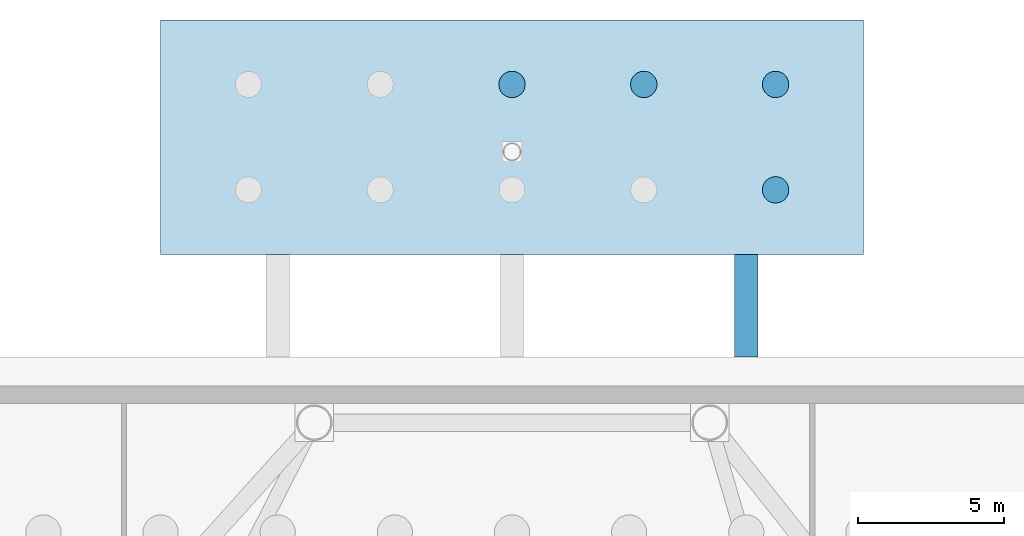
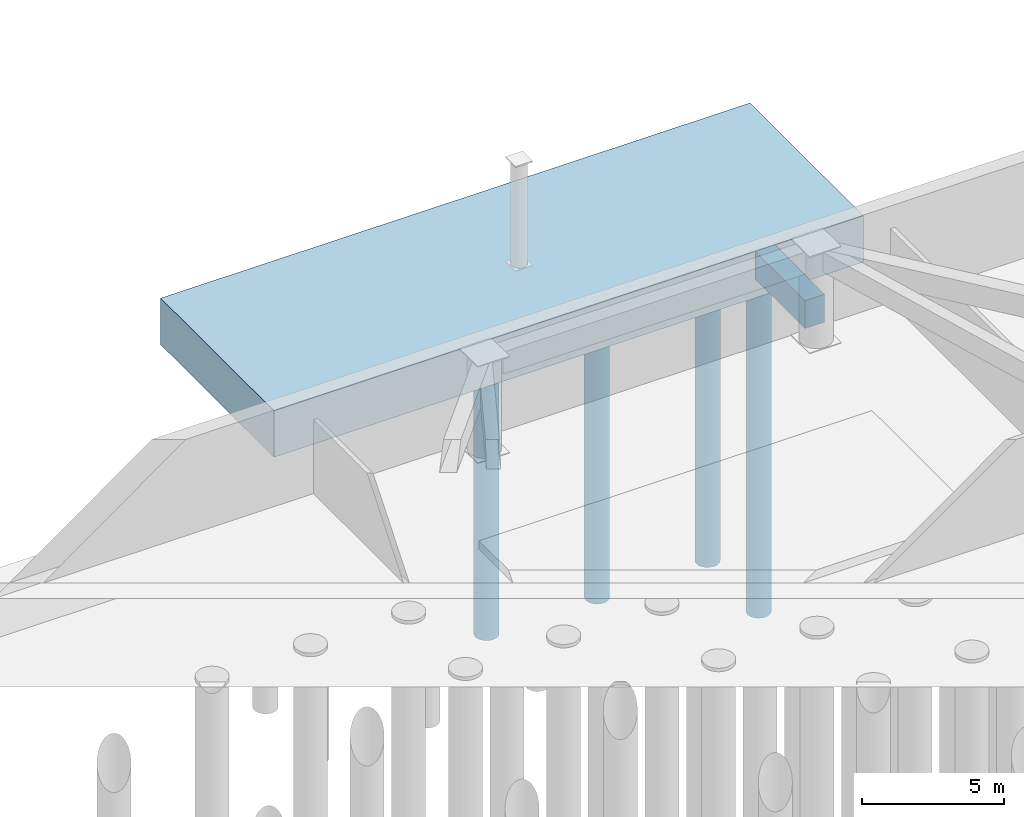
# One storey, part 2 of 11: 4 piles, 2 footings.
"""IFC4 building model written with IfcOpenShell, lengths in metres."""

import ifcopenshell
import ifcopenshell.guid

model = None  # the IFC model being written
_history = None  # IfcOwnerHistory: only IFC2X3 demands one
_inside = {}  # id of a spatial element -> (the spatial element, [elements in it])
_under = {}  # id of a project, library or spatial element -> (it, [spatial elements below it])
_declared = {}  # id of a project -> (the project, [libraries it declares])
_typed = {}  # id of a type object -> (the type object, [elements of that type])
_made_of = {}  # id of a material, layer set ... -> (it, [elements and type objects made of it])


def new_model(schema):
    """Start an empty IFC model of exactly this schema.

    Asked for "IFC4X3", IfcOpenShell would pick the latest addendum, in which some entities
    have other attributes; the version numbers below select the first issue.
    IFC2X3 requires an IfcOwnerHistory on every rooted entity: one is made here for all.
    """
    global model, _history
    if schema == "IFC4X3":
        model = ifcopenshell.file(schema_version=(4, 3, 0, 0))
    else:
        model = ifcopenshell.file(schema=schema)
    _inside.clear()
    _under.clear()
    _declared.clear()
    _typed.clear()
    _made_of.clear()
    _history = None
    if model.schema == "IFC2X3":
        org = make("IfcOrganization", Name="unknown")
        user = make(
            "IfcPersonAndOrganization",
            ThePerson=make("IfcPerson", FamilyName="unknown"),
            TheOrganization=org,
        )
        app = make(
            "IfcApplication",
            ApplicationDeveloper=org,
            Version="unknown",
            ApplicationFullName="unknown",
            ApplicationIdentifier="unknown",
        )
        _history = make(
            "IfcOwnerHistory",
            OwningUser=user,
            OwningApplication=app,
            ChangeAction="ADDED",
            CreationDate=0,
        )
    return model


def make(cls, **values):
    """One entity of the class cls with the attributes given. An attribute that is None is left unset."""
    return model.create_entity(
        cls, **{name: value for name, value in values.items() if value is not None}
    )


def rooted(cls, **values):
    """An entity with a GlobalId (a new one), such as an element, a storey or a relation."""
    return make(cls, GlobalId=ifcopenshell.guid.new(), OwnerHistory=_history, **values)


def si_unit(unit_type, name, prefix=None):
    """IfcSIUnit, for example si_unit("LENGTHUNIT", "METRE", prefix="MILLI")."""
    return make("IfcSIUnit", UnitType=unit_type, Prefix=prefix, Name=name)


def assignment(units):
    """IfcUnitAssignment: the units of a project."""
    return None if units is None else make("IfcUnitAssignment", Units=units)


def point(xyz):
    """IfcCartesianPoint."""
    return None if xyz is None else make("IfcCartesianPoint", Coordinates=xyz)


def direction(xyz):
    """IfcDirection."""
    return None if xyz is None else make("IfcDirection", DirectionRatios=xyz)


def frame(location, z_axis=None, x_axis=None):
    """IfcAxis2Placement3D, a coordinate frame: its origin and axes. An axis left out is left unset."""
    return make(
        "IfcAxis2Placement3D",
        Location=point(location),
        Axis=direction(z_axis),
        RefDirection=direction(x_axis),
    )


def frame_2d(location, x_axis=None):
    """IfcAxis2Placement2D, a coordinate frame in the plane: its origin and x axis."""
    return make(
        "IfcAxis2Placement2D", Location=point(location), RefDirection=direction(x_axis)
    )


def origin():
    """The frame at (0, 0, 0) with its axes left unset."""
    return frame((0.0, 0.0, 0.0))


def origin_2d():
    """The frame at (0, 0) in the plane with its x axis left unset."""
    return frame_2d((0.0, 0.0))


def place(relative_to, where):
    """IfcLocalPlacement: puts the frame where relative to a parent placement (None: the world)."""
    return make(
        "IfcLocalPlacement", PlacementRelTo=relative_to, RelativePlacement=where
    )


def context(
    kind, dimensions, precision=None, world=None, true_north=None, identifier=None
):
    """IfcGeometricRepresentationContext, for example the 3D "Model" context."""
    return make(
        "IfcGeometricRepresentationContext",
        ContextIdentifier=identifier,
        ContextType=kind,
        CoordinateSpaceDimension=dimensions,
        Precision=precision,
        WorldCoordinateSystem=world,
        TrueNorth=true_north,
    )


def subcontext(parent, identifier, kind, view, scale=None):
    """IfcGeometricRepresentationSubContext, for example "Body" below "Model"."""
    return make(
        "IfcGeometricRepresentationSubContext",
        ContextIdentifier=identifier,
        ContextType=kind,
        ParentContext=parent,
        TargetScale=scale,
        TargetView=view,
    )


def project(units=None, contexts=None):
    """IfcProject with its units and contexts."""
    return rooted(
        "IfcProject",
        Name="project",
        RepresentationContexts=contexts,
        UnitsInContext=assignment(units),
    )


def spatial(cls, under=None, at=None, **own):
    """A site, building, storey or space (cls), placed at a placement, below another one or the project."""
    s = rooted(cls, ObjectPlacement=at, **own)
    if under is not None:
        _under.setdefault(under.id(), (under, []))[1].append(s)
    return s


def polyline(points):
    """IfcPolyline through the points."""
    return make("IfcPolyline", Points=[point(p) for p in points])


def profile(cls, at=None, kind="AREA", **sizes):
    """A parametric profile (cls). Its sizes go by their IFC names, for example OverallWidth=200.0."""
    return make(cls, ProfileType=kind, Position=at, **sizes)


def rectangle(**sizes):
    """IfcRectangleProfileDef."""
    return profile("IfcRectangleProfileDef", **sizes)


def circle(**sizes):
    """IfcCircleProfileDef."""
    return profile("IfcCircleProfileDef", **sizes)


def outline(outer, holes=None, kind="AREA"):
    """IfcArbitraryClosedProfileDef: a profile drawn as a closed curve; with holes, ...WithVoids."""
    if holes is None:
        return make("IfcArbitraryClosedProfileDef", ProfileType=kind, OuterCurve=outer)
    return make(
        "IfcArbitraryProfileDefWithVoids",
        ProfileType=kind,
        OuterCurve=outer,
        InnerCurves=holes,
    )


def extrude(swept, where, along, depth):
    """IfcExtrudedAreaSolid: the profile swept, set in the frame where, extruded along a direction by depth."""
    return make(
        "IfcExtrudedAreaSolid",
        SweptArea=swept,
        Position=where,
        ExtrudedDirection=direction(along),
        Depth=depth,
    )


def shape(context_of_items, identifier, shape_type, items):
    """IfcShapeRepresentation: the items that make up one representation, for example the "Body"."""
    return make(
        "IfcShapeRepresentation",
        ContextOfItems=context_of_items,
        RepresentationIdentifier=identifier,
        RepresentationType=shape_type,
        Items=items,
    )


def material(Name=None, Category=None):
    """IfcMaterial."""
    return make("IfcMaterial", Name=Name, Category=Category)


def layer(
    of_material, thickness, ventilated=None, Name=None, Category=None, Priority=None
):
    """IfcMaterialLayer: one layer of a wall or slab, of a material (None: an air gap)."""
    return make(
        "IfcMaterialLayer",
        Material=of_material,
        LayerThickness=thickness,
        IsVentilated=ventilated,
        Name=Name,
        Category=Category,
        Priority=Priority,
    )


def layer_set(layers, Name=None):
    """IfcMaterialLayerSet."""
    return make("IfcMaterialLayerSet", MaterialLayers=layers, LayerSetName=Name)


def material_profile(
    of_material, cross_section, Name=None, Category=None, Priority=None
):
    """IfcMaterialProfile: a cross section and its material."""
    return make(
        "IfcMaterialProfile",
        Name=Name,
        Material=of_material,
        Profile=cross_section,
        Priority=Priority,
        Category=Category,
    )


def profile_set(profiles, Name=None, composite=None):
    """IfcMaterialProfileSet."""
    return make(
        "IfcMaterialProfileSet",
        Name=Name,
        MaterialProfiles=profiles,
        CompositeProfile=composite,
    )


def made_of(thing, what):
    """Note that an element or type object is made of a material, layer set ...; save() writes the relation."""
    if what is not None:
        _made_of.setdefault(what.id(), (what, []))[1].append(thing)
    return thing


def type_object(cls, material=None, **own):
    """A type object (cls), such as IfcWallType, which elements share."""
    return made_of(rooted(cls, **own), material)


def element(
    cls,
    number,
    at=None,
    inside=None,
    cuts=None,
    type_object=None,
    material=None,
    context=None,
    identifier="Body",
    shape_type=None,
    held_by="IfcProductDefinitionShape",
    body=None,
    shapes=None,
    **own,
):
    """One element of the class cls, such as IfcWall. Its Tag is "e" and its number.

    at: its placement. inside: the storey or other place that contains it. cuts: it is an
    opening in that element (IfcRelVoidsElement). A single representation is given by context,
    identifier, shape_type and body (its items); several are given by shapes. held_by: the class
    of the entity that holds the representations. save() writes the other relations.
    """
    e = rooted(cls, Tag="e%d" % number, ObjectPlacement=at, **own)
    if body is not None:
        shapes = [shape(context, identifier, shape_type, body)]
    if shapes is not None:
        e.Representation = make(held_by, Representations=shapes)
    if inside is not None:
        _inside.setdefault(inside.id(), (inside, []))[1].append(e)
    if cuts is not None:
        rooted(
            "IfcRelVoidsElement", RelatingBuildingElement=cuts, RelatedOpeningElement=e
        )
    if type_object is not None:
        _typed.setdefault(type_object.id(), (type_object, []))[1].append(e)
    return made_of(e, material)


def aggregate(whole, parts):
    """IfcRelAggregates: a whole, such as a stair, and the parts it consists of."""
    return rooted("IfcRelAggregates", RelatingObject=whole, RelatedObjects=parts)


def save(model, path):
    """Write the relations noted so far, then the file.

    IfcRelAggregates (storeys below a building ...), IfcRelContainedInSpatialStructure (elements
    in a storey), IfcRelDefinesByType, IfcRelAssociatesMaterial and IfcRelDeclares: one each for
    every whole, place, type object, material and project.
    """
    for whole, parts in _under.values():
        aggregate(whole, parts)
    for where, things in _inside.values():
        rooted(
            "IfcRelContainedInSpatialStructure",
            RelatedElements=things,
            RelatingStructure=where,
        )
    for kind, things in _typed.values():
        rooted("IfcRelDefinesByType", RelatedObjects=things, RelatingType=kind)
    for what, things in _made_of.values():
        rooted("IfcRelAssociatesMaterial", RelatedObjects=things, RelatingMaterial=what)
    for by, libraries in _declared.values():
        rooted("IfcRelDeclares", RelatingContext=by, RelatedDefinitions=libraries)
    model.write(path)


model = new_model("IFC4")

# Units and contexts
model_context = context("Model", 3, precision=1e-05, world=origin(), true_north=direction((0.0, 1.0)))
body_context = subcontext(model_context, "Body", "Model", "MODEL_VIEW")
ifc_project = project(units=[si_unit("LENGTHUNIT", "METRE"), si_unit("AREAUNIT", "SQUARE_METRE"), si_unit("VOLUMEUNIT", "CUBIC_METRE"), si_unit("PLANEANGLEUNIT", "RADIAN"), si_unit("MASSUNIT", "GRAM", prefix="KILO")], contexts=[model_context])

# Site, building, storey
site_placement = place(None, origin())
site = spatial("IfcSite", under=ifc_project, at=site_placement, CompositionType="ELEMENT")
building_placement = place(site_placement, origin())
building = spatial("IfcBuilding", under=site, at=building_placement, Name="Tavelor Broadcast Tower", CompositionType="ELEMENT")
storey_placement = place(building_placement, frame((0.0, 0.0, -8.699951171875)))
storey = spatial("IfcBuildingStorey", under=building, at=storey_placement, Name="B02", CompositionType="ELEMENT", Elevation=-8.699951171875)

# Footing
ifc_material = material(Name="Concrete C40/50", Category="concrete")
ifc_material_profile_1 = material_profile(ifc_material, rectangle(XDim=0.800048828125, YDim=1.199951171875, at=origin_2d()), Name="RC 800x1200")
ifc_profile_set_1 = profile_set([ifc_material_profile_1], Name="Concrete C40/50")
footing_type_1 = type_object("IfcFootingType", Name="Foundation Ground Tie Beam 800x1200", PredefinedType="FOOTING_BEAM", material=ifc_profile_set_1)
footing_1_placement = place(storey_placement, frame((58.0, 75.0, -0.60009765625), z_axis=(0.0, 1.0, 0.0), x_axis=(-1.0, 0.0, 0.0)))
element("IfcFooting", 1, at=footing_1_placement, inside=storey, type_object=footing_type_1, Name="Foundation Ground Tie Beam GB03", PredefinedType="FOOTING_BEAM", context=body_context, shape_type="SweptSolid", body=[
    extrude(rectangle(XDim=0.800048828125, YDim=1.199951171875, at=origin_2d()), origin(), (0.0, 0.0, 1.0), 3.5),
])

# Piles
ifc_material_profile_2 = material_profile(ifc_material, circle(Radius=0.449951171875, at=origin_2d()), Name="PILE D900")
ifc_profile_set_2 = profile_set([ifc_material_profile_2], Name="Concrete C40/50")
pile_type = type_object("IfcPileType", Name="Podium Bored Pile D900", PredefinedType="BORED", material=ifc_profile_set_2)
for number, where, z_axis, x_axis, name in (
    (2, (50.0, 84.300048828125, -1.85009765625), (0.0, 0.0, -1.0), (1.0, 0.0, 0.0), "Podium Cap PC01 Bored Pile C006"),
    (3, (54.5, 84.300048828125, -1.85009765625), (0.0, 0.0, -1.0), (1.0, 0.0, 0.0), "Podium Cap PC01 Bored Pile C008"),
    (4, (59.0, 80.699951171875, -1.85009765625), (0.0, 0.0, -1.0), (1.0, 0.0, 0.0), "Podium Cap PC01 Bored Pile C009"),
    (5, (59.0, 84.300048828125, -1.85009765625), (0.0, 0.0, -1.0), (1.0, 0.0, 0.0), "Podium Cap PC01 Bored Pile C010"),
):
    element("IfcPile", number, at=place(storey_placement, frame(where, z_axis=z_axis, x_axis=x_axis)), inside=storey, type_object=pile_type, Name=name, PredefinedType="BORED", context=body_context, shape_type="SweptSolid", body=[
        extrude(circle(Radius=0.449951171875, at=origin_2d()), origin(), (0.0, 0.0, 1.0), 15.449951171875),
    ])

# Footing
ifc_layer = layer(ifc_material, 2.0)
ifc_layer_set = layer_set([ifc_layer], Name="Concrete C40/50")
footing_type_2 = type_object("IfcFootingType", Name="Podium Pile Cap 2000 mm Type A", PredefinedType="PILE_CAP", material=ifc_layer_set)
footing_2_placement = place(storey_placement, frame((0.0, 0.0, -2.0)))
element("IfcFooting", 6, at=footing_2_placement, inside=storey, type_object=footing_type_2, Name="Podium Pile Cap PC01 2000 mm", PredefinedType="PILE_CAP", context=body_context, shape_type="SweptSolid", body=[
    extrude(outline(polyline([(38.0, 78.5), (62.0, 78.5), (62.0, 86.5), (38.0, 86.5), (38.0, 78.5)])), origin(), (0.0, 0.0, 1.0), 2.0),
])

save(model, "model.ifc")
